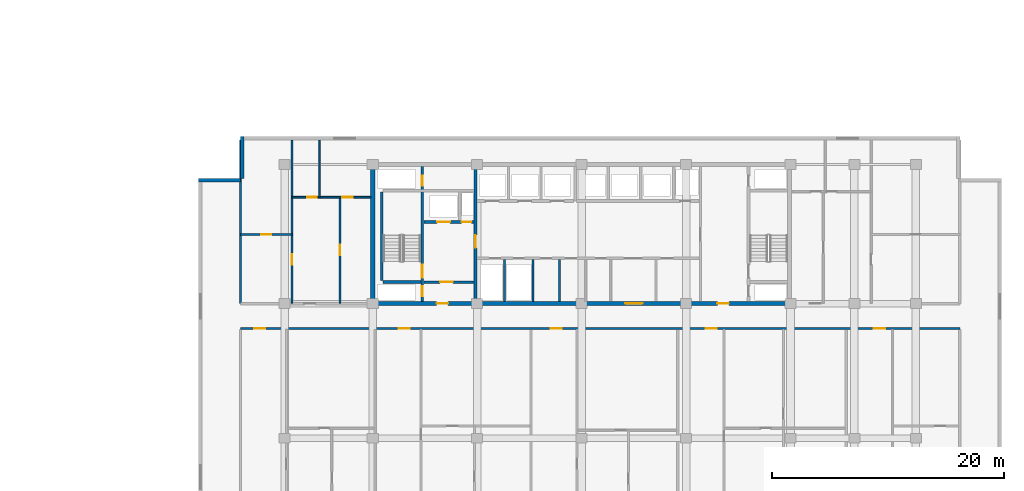
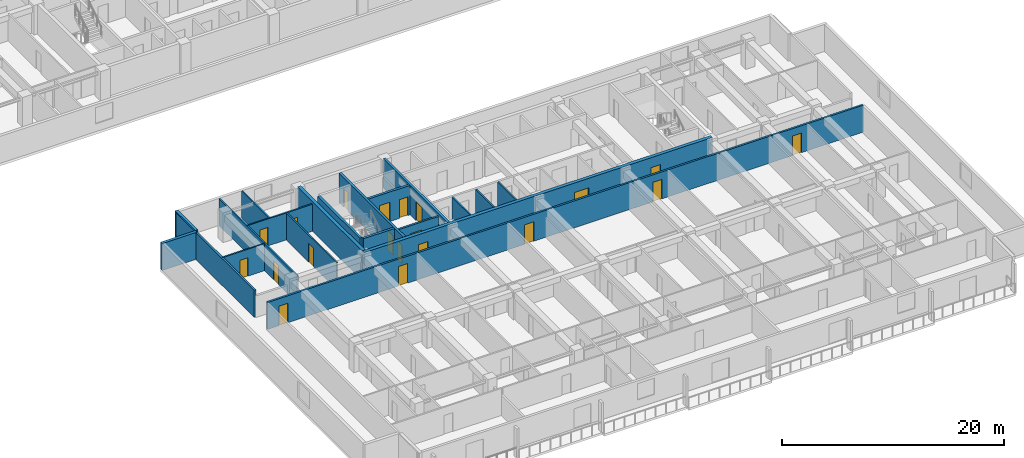
# One storey, part 6 of 24: 20 doors, 20 walls, 20 openings.
"""IFC4 building model written with IfcOpenShell, lengths in metres."""

from ifc_helpers import new_model, si_unit, direction, frame, frame_2d, origin, place, context, subcontext, project, spatial, rectangle, extrude, material, layer, layer_set, type_object, element, fill, save


model = new_model("IFC4")

# Units and contexts
model_context = context("Model", 3, precision=1e-05, world=origin(), true_north=direction((0.0, 1.0)))
body_context = subcontext(model_context, "Body", "Model", "MODEL_VIEW")
ifc_project = project(units=[si_unit("LENGTHUNIT", "METRE"), si_unit("AREAUNIT", "SQUARE_METRE"), si_unit("VOLUMEUNIT", "CUBIC_METRE"), si_unit("PLANEANGLEUNIT", "RADIAN"), si_unit("MASSUNIT", "GRAM", prefix="KILO")], contexts=[model_context])

# Site, building, storey
site_placement = place(None, origin())
site = spatial("IfcSite", under=ifc_project, at=site_placement, CompositionType="ELEMENT")
building_placement = place(site_placement, origin())
building = spatial("IfcBuilding", under=site, at=building_placement, Name="Korimba Cascade Residences", CompositionType="ELEMENT")
storey_placement = place(building_placement, frame((0.0, 0.0, 66.25)))
storey = spatial("IfcBuildingStorey", under=building, at=storey_placement, Name="L18", CompositionType="ELEMENT", Elevation=66.25)

# Walls
ifc_material_1 = material(Name="Precast concrete C40/50", Category="concrete")
ifc_layer_1 = layer(ifc_material_1, 0.300048828125)
ifc_layer_set_1 = layer_set([ifc_layer_1], Name="Precast concrete C40/50")
wall_type_1 = type_object("IfcWallType", Name="EW-STONE-300", PredefinedType="STANDARD", material=ifc_layer_set_1)
wall_1_placement = place(storey_placement, frame((70.85009765625, 32.800048828125, 0.0), z_axis=(0.0, 0.0, 1.0), x_axis=(0.0, -1.0, 0.0)))
element("IfcWall", 1, at=wall_1_placement, inside=storey, type_object=wall_type_1, Name="L18 T2 Perimeter Stone Wall E07", PredefinedType="STANDARD", context=body_context, shape_type="SweptSolid", body=[
    extrude(rectangle(XDim=3.60009765625, YDim=0.300048828125, at=frame_2d((1.800048828125, 0.0))), origin(), (0.0, 0.0, 1.0), 2.969970703125),
])
wall_2_placement = place(storey_placement, frame((70.699951171875, 29.050048828125, 0.0), z_axis=(0.0, 0.0, 1.0), x_axis=(-1.0, 0.0, 0.0)))
element("IfcWall", 2, at=wall_2_placement, inside=storey, type_object=wall_type_1, Name="L18 T2 Perimeter Stone Wall E08", PredefinedType="STANDARD", context=body_context, shape_type="SweptSolid", body=[
    extrude(rectangle(XDim=3.599853515625, YDim=0.300048828125, at=frame_2d((1.7998046875, 0.0))), origin(), (0.0, 0.0, 1.0), 2.969970703125),
])
ifc_material_2 = material(Name="Concrete C65/80", Category="concrete")
ifc_layer_2 = layer(ifc_material_2, 0.35009765625)
ifc_layer_set_2 = layer_set([ifc_layer_2], Name="Concrete C65/80")
wall_type_2 = type_object("IfcWallType", Name="WAL-CORE-350", PredefinedType="SHEAR", material=ifc_layer_set_2)
wall_3_placement = place(storey_placement, frame((82.10009765625, 18.574951171875, 0.0), z_axis=(0.0, 0.0, 1.0), x_axis=(0.0, 1.0, 0.0)))
element("IfcWall", 3, at=wall_3_placement, inside=storey, type_object=wall_type_2, Name="L18 Core Shear Wall CW-L18-T2-W", PredefinedType="SHEAR", context=body_context, shape_type="SweptSolid", body=[
    extrude(rectangle(XDim=11.650146484375, YDim=0.35009765625, at=frame_2d((5.8251953125, 0.0))), origin(), (0.0, 0.0, 1.0), 3.25),
])

# Wall, openings, doors
wall_4_placement = place(storey_placement, frame((81.925048828125, 18.39990234375, 0.0), z_axis=(0.0, 0.0, 1.0), x_axis=(1.0, 0.0, 0.0)))
wall_4 = element("IfcWall", 4, at=wall_4_placement, inside=storey, type_object=wall_type_2, Name="L18 Core Shear Wall CW-L18-T2-S", PredefinedType="SHEAR", context=body_context, shape_type="SweptSolid", body=[
    extrude(rectangle(XDim=36.264892578125, YDim=0.35009765625, at=frame_2d((18.13232421875, 0.0))), origin(), (0.0, 0.0, 1.0), 3.25),
])
opening_1_placement = place(wall_4_placement, frame((5.675048828125, 0.0, 0.0)))
opening_1 = element("IfcOpeningElement", 5, at=opening_1_placement, cuts=wall_4, Name="Opening D-FD5", PredefinedType="OPENING", context=body_context, shape_type="SweptSolid", body=[
    extrude(rectangle(XDim=1.0, YDim=2.14990234375, at=frame_2d((0.5, 1.074951171875))), frame((0.0, 0.18505859375, 0.0), z_axis=(0.0, -1.0, 0.0), x_axis=(1.0, 0.0, 0.0)), (0.0, 0.0, 1.0), 0.3701171875),
])
opening_2_placement = place(wall_4_placement, frame((21.925048828125, 0.0, 0.0)))
opening_2 = element("IfcOpeningElement", 6, at=opening_2_placement, cuts=wall_4, Name="Opening D-FD8", PredefinedType="OPENING", context=body_context, shape_type="SweptSolid", body=[
    extrude(rectangle(XDim=1.5, YDim=2.199951171875, at=frame_2d((0.75, 1.10009765625))), frame((0.0, 0.18505859375, 0.0), z_axis=(0.0, -1.0, 0.0), x_axis=(1.0, 0.0, 0.0)), (0.0, 0.0, 1.0), 0.3701171875),
])
opening_3_placement = place(wall_4_placement, frame((29.875, 0.0, 0.0)))
opening_3 = element("IfcOpeningElement", 7, at=opening_3_placement, cuts=wall_4, Name="Opening D-FD5", PredefinedType="OPENING", context=body_context, shape_type="SweptSolid", body=[
    extrude(rectangle(XDim=1.0, YDim=2.14990234375, at=frame_2d((0.5, 1.074951171875))), frame((0.0, 0.18505859375, 0.0), z_axis=(0.0, -1.0, 0.0), x_axis=(1.0, 0.0, 0.0)), (0.0, 0.0, 1.0), 0.3701171875),
])
ifc_material_3 = material(Name="Fire-Rated Acoustic Timber Vestibule Door", Category="wood")
door_type_1 = type_object("IfcDoorType", Name="DR-FD90-1000", OperationType="NOTDEFINED", PredefinedType="DOOR", material=ifc_material_3)
door_1_placement = place(opening_1_placement, origin())
door_1 = element("IfcDoor", 8, at=door_1_placement, inside=storey, type_object=door_type_1, Name="L18 T2 West Core Vestibule Fire Door", OperationType="SINGLE_SWING_RIGHT", OverallHeight=2.14990234375, OverallWidth=1.0, PredefinedType="DOOR", context=body_context, shape_type="SweptSolid", body=[
    extrude(rectangle(XDim=1.0, YDim=2.14990234375, at=frame_2d((0.5, 1.074951171875))), frame((0.0, 0.02490234375, 0.0), z_axis=(0.0, -1.0, 0.0), x_axis=(1.0, 0.0, 0.0)), (0.0, 0.0, 1.0), 0.050048828125),
])
fill(opening_1, door_1)
door_2_placement = place(opening_3_placement, origin())
door_2 = element("IfcDoor", 9, at=door_2_placement, inside=storey, type_object=door_type_1, Name="L18 T2 East Stair Vestibule Fire Door", OperationType="SINGLE_SWING_LEFT", OverallHeight=2.14990234375, OverallWidth=1.0, PredefinedType="DOOR", context=body_context, shape_type="SweptSolid", body=[
    extrude(rectangle(XDim=1.0, YDim=2.14990234375, at=frame_2d((0.5, 1.074951171875))), frame((0.0, 0.02490234375, 0.0), z_axis=(0.0, -1.0, 0.0), x_axis=(1.0, 0.0, 0.0)), (0.0, 0.0, 1.0), 0.050048828125),
])
fill(opening_3, door_2)
ifc_material_4 = material(Name="Fire-Rated Glazed Lift Lobby Double Door", Category="glass")
door_type_2 = type_object("IfcDoorType", Name="DR-FD90-1500", OperationType="NOTDEFINED", PredefinedType="DOOR", material=ifc_material_4)
door_3_placement = place(opening_2_placement, origin())
door_3 = element("IfcDoor", 10, at=door_3_placement, inside=storey, type_object=door_type_2, Name="L18 T2 Lift Lobby Fire Door", OperationType="DOUBLE_DOOR_SINGLE_SWING", OverallHeight=2.199951171875, OverallWidth=1.5, PredefinedType="DOOR", context=body_context, shape_type="SweptSolid", body=[
    extrude(rectangle(XDim=1.5, YDim=2.199951171875, at=frame_2d((0.75, 1.10009765625))), frame((0.0, 0.02490234375, 0.0), z_axis=(0.0, -1.0, 0.0), x_axis=(1.0, 0.0, 0.0)), (0.0, 0.0, 1.0), 0.050048828125),
])
fill(opening_2, door_3)

# Wall
ifc_layer_3 = layer(ifc_material_1, 0.199951171875)
ifc_layer_set_3 = layer_set([ifc_layer_3], Name="Precast concrete C40/50")
wall_type_3 = type_object("IfcWallType", Name="WAL-IT-200", PredefinedType="PARTITIONING", material=ifc_layer_set_3)
wall_5_placement = place(storey_placement, frame((70.699951171875, 18.39990234375, 0.0), z_axis=(0.0, 0.0, 1.0), x_axis=(0.0, 1.0, 0.0)))
element("IfcWall", 11, at=wall_5_placement, inside=storey, type_object=wall_type_3, Name="L18 Partition Wall WAL-L18-T2-FW-WL", PredefinedType="PARTITIONING", context=body_context, shape_type="SweptSolid", body=[
    extrude(rectangle(XDim=14.10009765625, YDim=0.199951171875, at=frame_2d((7.050048828125, 0.0))), origin(), (0.0, 0.0, 1.0), 2.969970703125),
])

# Wall, openings, doors
wall_6_placement = place(storey_placement, frame((70.699951171875, 16.25, 0.0), z_axis=(0.0, 0.0, 1.0), x_axis=(1.0, 0.0, 0.0)))
wall_6 = element("IfcWall", 12, at=wall_6_placement, inside=storey, type_object=wall_type_3, Name="L18 Partition Wall WAL-L18-T2-CORS", PredefinedType="PARTITIONING", context=body_context, shape_type="SweptSolid", body=[
    extrude(rectangle(XDim=62.0, YDim=0.199951171875, at=frame_2d((31.0, 0.0))), origin(), (0.0, 0.0, 1.0), 2.969970703125),
])
opening_4_placement = place(wall_6_placement, frame((1.18603515625, 0.0, 0.0)))
opening_4 = element("IfcOpeningElement", 13, at=opening_4_placement, cuts=wall_6, Name="Opening D-UN1", PredefinedType="OPENING", context=body_context, shape_type="SweptSolid", body=[
    extrude(rectangle(XDim=0.949951171875, YDim=2.14990234375, at=frame_2d((0.47509765625, 1.074951171875))), frame((0.0, 0.10986328125, 0.0), z_axis=(0.0, -1.0, 0.0), x_axis=(1.0, 0.0, 0.0)), (0.0, 0.0, 1.0), 0.219970703125),
])
opening_5_placement = place(wall_6_placement, frame((13.634765625, 0.0, 0.0)))
opening_5 = element("IfcOpeningElement", 14, at=opening_5_placement, cuts=wall_6, Name="Opening D-UN1", PredefinedType="OPENING", context=body_context, shape_type="SweptSolid", body=[
    extrude(rectangle(XDim=0.949951171875, YDim=2.14990234375, at=frame_2d((0.47509765625, 1.074951171875))), frame((0.0, 0.10986328125, 0.0), z_axis=(0.0, -1.0, 0.0), x_axis=(1.0, 0.0, 0.0)), (0.0, 0.0, 1.0), 0.219970703125),
])
opening_6_placement = place(wall_6_placement, frame((26.750244140625, 0.0, 0.0)))
opening_6 = element("IfcOpeningElement", 15, at=opening_6_placement, cuts=wall_6, Name="Opening D-UN1", PredefinedType="OPENING", context=body_context, shape_type="SweptSolid", body=[
    extrude(rectangle(XDim=0.949951171875, YDim=2.14990234375, at=frame_2d((0.47509765625, 1.074951171875))), frame((0.0, 0.10986328125, 0.0), z_axis=(0.0, -1.0, 0.0), x_axis=(1.0, 0.0, 0.0)), (0.0, 0.0, 1.0), 0.219970703125),
])
opening_7_placement = place(wall_6_placement, frame((40.080810546875, 0.0, 0.0)))
opening_7 = element("IfcOpeningElement", 16, at=opening_7_placement, cuts=wall_6, Name="Opening D-UN1", PredefinedType="OPENING", context=body_context, shape_type="SweptSolid", body=[
    extrude(rectangle(XDim=0.949951171875, YDim=2.14990234375, at=frame_2d((0.47509765625, 1.074951171875))), frame((0.0, 0.10986328125, 0.0), z_axis=(0.0, -1.0, 0.0), x_axis=(1.0, 0.0, 0.0)), (0.0, 0.0, 1.0), 0.219970703125),
])
opening_8_placement = place(wall_6_placement, frame((54.596435546875, 0.0, 0.0)))
opening_8 = element("IfcOpeningElement", 17, at=opening_8_placement, cuts=wall_6, Name="Opening D-UN1", PredefinedType="OPENING", context=body_context, shape_type="SweptSolid", body=[
    extrude(rectangle(XDim=0.949951171875, YDim=2.14990234375, at=frame_2d((0.47509765625, 1.074951171875))), frame((0.0, 0.10986328125, 0.0), z_axis=(0.0, -1.0, 0.0), x_axis=(1.0, 0.0, 0.0)), (0.0, 0.0, 1.0), 0.219970703125),
])
ifc_material_5 = material(Name="Fire-Rated Hardwood Apartment Entrance Door", Category="wood")
door_type_3 = type_object("IfcDoorType", Name="DR-FD60-950", OperationType="NOTDEFINED", PredefinedType="DOOR", material=ifc_material_5)
door_4_placement = place(opening_4_placement, origin())
door_4 = element("IfcDoor", 18, at=door_4_placement, inside=storey, type_object=door_type_3, Name="Unit L18-T2-U01 Entrance Door", OperationType="SINGLE_SWING_RIGHT", OverallHeight=2.14990234375, OverallWidth=0.949951171875, PredefinedType="DOOR", context=body_context, shape_type="SweptSolid", body=[
    extrude(rectangle(XDim=0.949951171875, YDim=2.14990234375, at=frame_2d((0.47509765625, 1.074951171875))), frame((0.0, 0.02490234375, 0.0), z_axis=(0.0, -1.0, 0.0), x_axis=(1.0, 0.0, 0.0)), (0.0, 0.0, 1.0), 0.050048828125),
])
fill(opening_4, door_4)
door_5_placement = place(opening_5_placement, origin())
door_5 = element("IfcDoor", 19, at=door_5_placement, inside=storey, type_object=door_type_3, Name="Unit L18-T2-U02 Entrance Door", OperationType="SINGLE_SWING_LEFT", OverallHeight=2.14990234375, OverallWidth=0.949951171875, PredefinedType="DOOR", context=body_context, shape_type="SweptSolid", body=[
    extrude(rectangle(XDim=0.949951171875, YDim=2.14990234375, at=frame_2d((0.47509765625, 1.074951171875))), frame((0.0, 0.02490234375, 0.0), z_axis=(0.0, -1.0, 0.0), x_axis=(1.0, 0.0, 0.0)), (0.0, 0.0, 1.0), 0.050048828125),
])
fill(opening_5, door_5)
door_6_placement = place(opening_6_placement, origin())
door_6 = element("IfcDoor", 20, at=door_6_placement, inside=storey, type_object=door_type_3, Name="Unit L18-T2-U03 Entrance Door", OperationType="SINGLE_SWING_RIGHT", OverallHeight=2.14990234375, OverallWidth=0.949951171875, PredefinedType="DOOR", context=body_context, shape_type="SweptSolid", body=[
    extrude(rectangle(XDim=0.949951171875, YDim=2.14990234375, at=frame_2d((0.47509765625, 1.074951171875))), frame((0.0, 0.02490234375, 0.0), z_axis=(0.0, -1.0, 0.0), x_axis=(1.0, 0.0, 0.0)), (0.0, 0.0, 1.0), 0.050048828125),
])
fill(opening_6, door_6)
door_7_placement = place(opening_7_placement, origin())
door_7 = element("IfcDoor", 21, at=door_7_placement, inside=storey, type_object=door_type_3, Name="Unit L18-T2-U04 Entrance Door", OperationType="SINGLE_SWING_LEFT", OverallHeight=2.14990234375, OverallWidth=0.949951171875, PredefinedType="DOOR", context=body_context, shape_type="SweptSolid", body=[
    extrude(rectangle(XDim=0.949951171875, YDim=2.14990234375, at=frame_2d((0.47509765625, 1.074951171875))), frame((0.0, 0.02490234375, 0.0), z_axis=(0.0, -1.0, 0.0), x_axis=(1.0, 0.0, 0.0)), (0.0, 0.0, 1.0), 0.050048828125),
])
fill(opening_7, door_7)
door_8_placement = place(opening_8_placement, origin())
door_8 = element("IfcDoor", 22, at=door_8_placement, inside=storey, type_object=door_type_3, Name="Unit L18-T2-U05 Entrance Door", OperationType="SINGLE_SWING_RIGHT", OverallHeight=2.14990234375, OverallWidth=0.949951171875, PredefinedType="DOOR", context=body_context, shape_type="SweptSolid", body=[
    extrude(rectangle(XDim=0.949951171875, YDim=2.14990234375, at=frame_2d((0.47509765625, 1.074951171875))), frame((0.0, 0.02490234375, 0.0), z_axis=(0.0, -1.0, 0.0), x_axis=(1.0, 0.0, 0.0)), (0.0, 0.0, 1.0), 0.050048828125),
])
fill(opening_8, door_8)

# Walls
ifc_material_6 = material(Name="Insulated Acoustic Stud Partition", Category="gypsum")
ifc_layer_4 = layer(ifc_material_6, 0.14990234375)
ifc_layer_set_4 = layer_set([ifc_layer_4], Name="Insulated Acoustic Stud Partition")
wall_type_4 = type_object("IfcWallType", Name="WAL-PART-150", PredefinedType="PARTITIONING", material=ifc_layer_set_4)
for number, where, z_axis, x_axis, name in (
    (23, (93.449951171875, 18.60009765625, 0.0), (0.0, 0.0, 1.0), (0.0, 1.0, 0.0), "L18 Partition Wall CW-L18-T2-ERDIV"),
    (24, (95.89990234375, 18.60009765625, 0.0), (0.0, 0.0, 1.0), (0.0, 1.0, 0.0), "L18 Partition Wall CW-L18-T2-PRDIV"),
    (25, (98.199951171875, 18.60009765625, 0.0), (0.0, 0.0, 1.0), (0.0, 1.0, 0.0), "L18 Partition Wall CW-L18-T2-CA1W1"),
):
    element("IfcWall", number, at=place(storey_placement, frame(where, z_axis=z_axis, x_axis=x_axis)), inside=storey, type_object=wall_type_4, Name=name, PredefinedType="PARTITIONING", context=body_context, shape_type="SweptSolid", body=[
        extrude(rectangle(XDim=3.599853515625, YDim=0.14990234375, at=frame_2d((1.7998046875, 0.0))), origin(), (0.0, 0.0, 1.0), 2.969970703125),
    ])

# Wall, opening, door
wall_7_placement = place(storey_placement, frame((70.699951171875, 24.35009765625, 0.0), z_axis=(0.0, 0.0, 1.0), x_axis=(1.0, 0.0, 0.0)))
wall_7 = element("IfcWall", 26, at=wall_7_placement, inside=storey, type_object=wall_type_4, Name="L18 Partition Wall WAL-L18-T2-FW-STH", PredefinedType="PARTITIONING", context=body_context, shape_type="SweptSolid", body=[
    extrude(rectangle(XDim=4.449951171875, YDim=0.14990234375, at=frame_2d((2.22509765625, 0.0))), origin(), (0.0, 0.0, 1.0), 2.969970703125),
])
opening_9_placement = place(wall_7_placement, frame((1.804931640625, 0.0, 0.0)))
opening_9 = element("IfcOpeningElement", 27, at=opening_9_placement, cuts=wall_7, Name="Opening D-BT1", PredefinedType="OPENING", context=body_context, shape_type="SweptSolid", body=[
    extrude(rectangle(XDim=0.840087890625, YDim=2.0400390625, at=frame_2d((0.419921875, 1.02001953125))), frame((0.0, 0.0849609375, 0.0), z_axis=(0.0, -1.0, 0.0), x_axis=(1.0, 0.0, 0.0)), (0.0, 0.0, 1.0), 0.169921875),
])
ifc_material_7 = material(Name="Moisture-Resistant Bathroom Timber Door", Category="wood")
door_type_4 = type_object("IfcDoorType", Name="DR-INT-850", OperationType="NOTDEFINED", PredefinedType="DOOR", material=ifc_material_7)
door_9_placement = place(opening_9_placement, origin())
door_9 = element("IfcDoor", 28, at=door_9_placement, inside=storey, type_object=door_type_4, Name="L18-T2-FW Dressing Store Door", OperationType="SINGLE_SWING_LEFT", OverallHeight=2.0400390625, OverallWidth=0.840087890625, PredefinedType="DOOR", context=body_context, shape_type="SweptSolid", body=[
    extrude(rectangle(XDim=0.840087890625, YDim=2.0400390625, at=frame_2d((0.419921875, 1.02001953125))), frame((0.0, 0.02490234375, 0.0), z_axis=(0.0, -1.0, 0.0), x_axis=(1.0, 0.0, 0.0)), (0.0, 0.0, 1.0), 0.050048828125),
])
fill(opening_9, door_9)

wall_8_placement = place(storey_placement, frame((75.14990234375, 18.449951171875, 0.0), z_axis=(0.0, 0.0, 1.0), x_axis=(0.0, 1.0, 0.0)))
wall_8 = element("IfcWall", 29, at=wall_8_placement, inside=storey, type_object=wall_type_4, Name="L18 Partition Wall WAL-L18-T2-FW-STV", PredefinedType="PARTITIONING", context=body_context, shape_type="SweptSolid", body=[
    extrude(rectangle(XDim=14.050048828125, YDim=0.14990234375, at=frame_2d((7.02490234375, 0.0))), origin(), (0.0, 0.0, 1.0), 2.969970703125),
])
opening_10_placement = place(wall_8_placement, frame((3.320068359375, 0.0, 0.0)))
opening_10 = element("IfcOpeningElement", 30, at=opening_10_placement, cuts=wall_8, Name="Opening D-IN2", PredefinedType="OPENING", context=body_context, shape_type="SweptSolid", body=[
    extrude(rectangle(XDim=0.8798828125, YDim=2.06005859375, at=frame_2d((0.43994140625, 1.030029296875))), frame((0.0, 0.0849609375, 0.0), z_axis=(0.0, -1.0, 0.0), x_axis=(1.0, 0.0, 0.0)), (0.0, 0.0, 1.0), 0.169921875),
])
ifc_material_8 = material(Name="Acoustic Timber Bedroom Door", Category="wood")
door_type_5 = type_object("IfcDoorType", Name="DR-INT-880", OperationType="NOTDEFINED", PredefinedType="DOOR", material=ifc_material_8)
door_10_placement = place(opening_10_placement, origin())
door_10 = element("IfcDoor", 31, at=door_10_placement, inside=storey, type_object=door_type_5, Name="L18-T2-FW Study Door", OperationType="SINGLE_SWING_RIGHT", OverallHeight=2.06005859375, OverallWidth=0.8798828125, PredefinedType="DOOR", context=body_context, shape_type="SweptSolid", body=[
    extrude(rectangle(XDim=0.8798828125, YDim=2.06005859375, at=frame_2d((0.43994140625, 1.030029296875))), frame((0.0, 0.02490234375, 0.0), z_axis=(0.0, -1.0, 0.0), x_axis=(1.0, 0.0, 0.0)), (0.0, 0.0, 1.0), 0.050048828125),
])
fill(opening_10, door_10)

wall_9_placement = place(storey_placement, frame((79.27001953125, 18.449951171875, 0.0), z_axis=(0.0, 0.0, 1.0), x_axis=(0.0, 1.0, 0.0)))
wall_9 = element("IfcWall", 32, at=wall_9_placement, inside=storey, type_object=wall_type_4, Name="L18 Partition Wall WAL-L18-T2-FW-VS", PredefinedType="PARTITIONING", context=body_context, shape_type="SweptSolid", body=[
    extrude(rectangle(XDim=9.1201171875, YDim=0.14990234375, at=frame_2d((4.56005859375, 0.0))), origin(), (0.0, 0.0, 1.0), 2.969970703125),
])
opening_11_placement = place(wall_9_placement, frame((4.10009765625, 0.0, 0.0)))
opening_11 = element("IfcOpeningElement", 33, at=opening_11_placement, cuts=wall_9, Name="Opening D-IN1", PredefinedType="OPENING", context=body_context, shape_type="SweptSolid", body=[
    extrude(rectangle(XDim=0.919921875, YDim=2.080078125, at=frame_2d((0.4599609375, 1.0400390625))), frame((0.0, 0.0849609375, 0.0), z_axis=(0.0, -1.0, 0.0), x_axis=(1.0, 0.0, 0.0)), (0.0, 0.0, 1.0), 0.169921875),
])
ifc_material_9 = material(Name="Acoustic Timber Living Door", Category="wood")
door_type_6 = type_object("IfcDoorType", Name="DR-INT-920", OperationType="NOTDEFINED", PredefinedType="DOOR", material=ifc_material_9)
door_11_placement = place(opening_11_placement, origin())
door_11 = element("IfcDoor", 34, at=door_11_placement, inside=storey, type_object=door_type_6, Name="L18-T2-FW Living Door", OperationType="SINGLE_SWING_LEFT", OverallHeight=2.080078125, OverallWidth=0.919921875, PredefinedType="DOOR", context=body_context, shape_type="SweptSolid", body=[
    extrude(rectangle(XDim=0.919921875, YDim=2.080078125, at=frame_2d((0.4599609375, 1.0400390625))), frame((0.0, 0.02490234375, 0.0), z_axis=(0.0, -1.0, 0.0), x_axis=(1.0, 0.0, 0.0)), (0.0, 0.0, 1.0), 0.050048828125),
])
fill(opening_11, door_11)

# Wall
wall_10_placement = place(storey_placement, frame((77.5, 27.570068359375, 0.0), z_axis=(0.0, 0.0, 1.0), x_axis=(0.0, 1.0, 0.0)))
element("IfcWall", 35, at=wall_10_placement, inside=storey, type_object=wall_type_4, Name="L18 Partition Wall WAL-L18-T2-FW-VN", PredefinedType="PARTITIONING", context=body_context, shape_type="SweptSolid", body=[
    extrude(rectangle(XDim=4.929931640625, YDim=0.14990234375, at=frame_2d((2.46484375, 0.0))), origin(), (0.0, 0.0, 1.0), 2.969970703125),
])

# Wall, openings, doors
wall_11_placement = place(storey_placement, frame((75.169921875, 27.570068359375, 0.0), z_axis=(0.0, 0.0, 1.0), x_axis=(1.0, 0.0, 0.0)))
wall_11 = element("IfcWall", 36, at=wall_11_placement, inside=storey, type_object=wall_type_4, Name="L18 Partition Wall WAL-L18-T2-FW-H", PredefinedType="PARTITIONING", context=body_context, shape_type="SweptSolid", body=[
    extrude(rectangle(XDim=6.760009765625, YDim=0.14990234375, at=frame_2d((3.3798828125, 0.0))), origin(), (0.0, 0.0, 1.0), 2.969970703125),
])
opening_12_placement = place(wall_11_placement, frame((1.266357421875, 0.0, 0.0)))
opening_12 = element("IfcOpeningElement", 37, at=opening_12_placement, cuts=wall_11, Name="Opening D-BT1", PredefinedType="OPENING", context=body_context, shape_type="SweptSolid", body=[
    extrude(rectangle(XDim=0.840087890625, YDim=2.0400390625, at=frame_2d((0.419921875, 1.02001953125))), frame((0.0, 0.0849609375, 0.0), z_axis=(0.0, -1.0, 0.0), x_axis=(1.0, 0.0, 0.0)), (0.0, 0.0, 1.0), 0.169921875),
])
opening_13_placement = place(wall_11_placement, frame((4.320068359375, 0.0, 0.0)))
opening_13 = element("IfcOpeningElement", 38, at=opening_13_placement, cuts=wall_11, Name="Opening D-IN2", PredefinedType="OPENING", context=body_context, shape_type="SweptSolid", body=[
    extrude(rectangle(XDim=0.8798828125, YDim=2.06005859375, at=frame_2d((0.43994140625, 1.030029296875))), frame((0.0, 0.0849609375, 0.0), z_axis=(0.0, -1.0, 0.0), x_axis=(1.0, 0.0, 0.0)), (0.0, 0.0, 1.0), 0.169921875),
])
door_12_placement = place(opening_12_placement, origin())
door_12 = element("IfcDoor", 39, at=door_12_placement, inside=storey, type_object=door_type_4, Name="L18-T2-FW Bathroom Door", OperationType="SINGLE_SWING_RIGHT", OverallHeight=2.0400390625, OverallWidth=0.840087890625, PredefinedType="DOOR", context=body_context, shape_type="SweptSolid", body=[
    extrude(rectangle(XDim=0.840087890625, YDim=2.0400390625, at=frame_2d((0.419921875, 1.02001953125))), frame((0.0, 0.02490234375, 0.0), z_axis=(0.0, -1.0, 0.0), x_axis=(1.0, 0.0, 0.0)), (0.0, 0.0, 1.0), 0.050048828125),
])
fill(opening_12, door_12)
door_13_placement = place(opening_13_placement, origin())
door_13 = element("IfcDoor", 40, at=door_13_placement, inside=storey, type_object=door_type_5, Name="L18-T2-FW Bedroom Door", OperationType="SINGLE_SWING_LEFT", OverallHeight=2.06005859375, OverallWidth=0.8798828125, PredefinedType="DOOR", context=body_context, shape_type="SweptSolid", body=[
    extrude(rectangle(XDim=0.8798828125, YDim=2.06005859375, at=frame_2d((0.43994140625, 1.030029296875))), frame((0.0, 0.02490234375, 0.0), z_axis=(0.0, -1.0, 0.0), x_axis=(1.0, 0.0, 0.0)), (0.0, 0.0, 1.0), 0.050048828125),
])
fill(opening_13, door_13)

# Wall, opening, door
ifc_material_10 = material(Name="Concrete C40/50", Category="concrete")
ifc_layer_5 = layer(ifc_material_10, 0.199951171875)
ifc_layer_set_5 = layer_set([ifc_layer_5], Name="Concrete C40/50")
wall_type_5 = type_object("IfcWallType", Name="WAL-PART-200", PredefinedType="PARTITIONING", material=ifc_layer_set_5)
wall_12_placement = place(storey_placement, frame((86.5, 20.25, 0.0), z_axis=(0.0, 0.0, 1.0), x_axis=(1.0, 0.0, 0.0)))
wall_12 = element("IfcWall", 41, at=wall_12_placement, inside=storey, type_object=wall_type_5, Name="L18 Partition Wall CW-L18-T2-FFLS", PredefinedType="PARTITIONING", context=body_context, shape_type="SweptSolid", body=[
    extrude(rectangle(XDim=4.320068359375, YDim=0.199951171875, at=frame_2d((2.16015625, 0.0))), origin(), (0.0, 0.0, 1.0), 2.969970703125),
])
opening_14_placement = place(wall_12_placement, frame((1.39990234375, 0.0, 0.0)))
opening_14 = element("IfcOpeningElement", 42, at=opening_14_placement, cuts=wall_12, Name="Opening D-FD1", PredefinedType="OPENING", context=body_context, shape_type="SweptSolid", body=[
    extrude(rectangle(XDim=1.10009765625, YDim=2.10009765625, at=frame_2d((0.550048828125, 1.050048828125))), frame((0.0, 0.10986328125, 0.0), z_axis=(0.0, -1.0, 0.0), x_axis=(1.0, 0.0, 0.0)), (0.0, 0.0, 1.0), 0.219970703125),
])
ifc_material_11 = material(Name="Fire-Rated Steel Core Door", Category="steel")
door_type_7 = type_object("IfcDoorType", Name="DR-FD120-1100", OperationType="NOTDEFINED", PredefinedType="DOOR", material=ifc_material_11)
door_14_placement = place(opening_14_placement, origin())
door_14 = element("IfcDoor", 43, at=door_14_placement, inside=storey, type_object=door_type_7, Name="L18 T2 Firefighting Lobby Door", OperationType="SINGLE_SWING_RIGHT", OverallHeight=2.10009765625, OverallWidth=1.10009765625, PredefinedType="DOOR", context=body_context, shape_type="SweptSolid", body=[
    extrude(rectangle(XDim=1.10009765625, YDim=2.10009765625, at=frame_2d((0.550048828125, 1.050048828125))), frame((0.0, 0.02490234375, 0.0), z_axis=(0.0, -1.0, 0.0), x_axis=(1.0, 0.0, 0.0)), (0.0, 0.0, 1.0), 0.050048828125),
])
fill(opening_14, door_14)

# Wall
ifc_material_12 = material(Name="Concrete C50/60", Category="concrete")
ifc_layer_6 = layer(ifc_material_12, 0.25)
ifc_layer_set_6 = layer_set([ifc_layer_6], Name="Concrete C50/60")
wall_type_6 = type_object("IfcWallType", Name="WAL-SHAFT-250", PredefinedType="SHEAR", material=ifc_layer_set_6)
wall_13_placement = place(storey_placement, frame((82.875, 20.39990234375, 0.0), z_axis=(0.0, 0.0, 1.0), x_axis=(0.0, 1.0, 0.0)))
element("IfcWall", 44, at=wall_13_placement, inside=storey, type_object=wall_type_6, Name="L18 Core Shear Wall CW-L18-T2-STE1W", PredefinedType="SHEAR", context=body_context, shape_type="SweptSolid", body=[
    extrude(rectangle(XDim=7.60009765625, YDim=0.25, at=frame_2d((3.800048828125, 0.0))), origin(), (0.0, 0.0, 1.0), 3.25),
])

# Wall, openings, doors
wall_14_placement = place(storey_placement, frame((86.364990234375, 18.60009765625, 0.0), z_axis=(0.0, 0.0, 1.0), x_axis=(0.0, 1.0, 0.0)))
wall_14 = element("IfcWall", 45, at=wall_14_placement, inside=storey, type_object=wall_type_6, Name="L18 Core Shear Wall CW-L18-T2-STE1E", PredefinedType="SHEAR", context=body_context, shape_type="SweptSolid", body=[
    extrude(rectangle(XDim=11.599853515625, YDim=0.25, at=frame_2d((5.7998046875, 0.0))), origin(), (0.0, 0.0, 1.0), 3.25),
])
opening_15_placement = place(wall_14_placement, frame((0.449951171875, 0.0, 0.0)))
opening_15 = element("IfcOpeningElement", 46, at=opening_15_placement, cuts=wall_14, Name="Opening D-RS1", PredefinedType="OPENING", context=body_context, shape_type="SweptSolid", body=[
    extrude(rectangle(XDim=0.85009765625, YDim=2.050048828125, at=frame_2d((0.425048828125, 1.02490234375))), frame((0.0, 0.135009765625, 0.0), z_axis=(0.0, -1.0, 0.0), x_axis=(1.0, 0.0, 0.0)), (0.0, 0.0, 1.0), 0.27001953125),
])
opening_16_placement = place(wall_14_placement, frame((2.050048828125, 0.0, 0.0)))
opening_16 = element("IfcOpeningElement", 47, at=opening_16_placement, cuts=wall_14, Name="Opening D-FD1", PredefinedType="OPENING", context=body_context, shape_type="SweptSolid", body=[
    extrude(rectangle(XDim=1.10009765625, YDim=2.10009765625, at=frame_2d((0.550048828125, 1.050048828125))), frame((0.0, 0.135009765625, 0.0), z_axis=(0.0, -1.0, 0.0), x_axis=(1.0, 0.0, 0.0)), (0.0, 0.0, 1.0), 0.27001953125),
])
opening_17_placement = place(wall_14_placement, frame((9.949951171875, 0.0, 0.0)))
opening_17 = element("IfcOpeningElement", 48, at=opening_17_placement, cuts=wall_14, Name="Opening D-RS1", PredefinedType="OPENING", context=body_context, shape_type="SweptSolid", body=[
    extrude(rectangle(XDim=0.85009765625, YDim=2.050048828125, at=frame_2d((0.425048828125, 1.02490234375))), frame((0.0, 0.135009765625, 0.0), z_axis=(0.0, -1.0, 0.0), x_axis=(1.0, 0.0, 0.0)), (0.0, 0.0, 1.0), 0.27001953125),
])
door_15_placement = place(opening_16_placement, origin())
door_15 = element("IfcDoor", 49, at=door_15_placement, inside=storey, type_object=door_type_7, Name="L18 Fire Stair ST-E1 Door", OperationType="SINGLE_SWING_LEFT", OverallHeight=2.10009765625, OverallWidth=1.10009765625, PredefinedType="DOOR", context=body_context, shape_type="SweptSolid", body=[
    extrude(rectangle(XDim=1.10009765625, YDim=2.10009765625, at=frame_2d((0.550048828125, 1.050048828125))), frame((0.0, 0.02490234375, 0.0), z_axis=(0.0, -1.0, 0.0), x_axis=(1.0, 0.0, 0.0)), (0.0, 0.0, 1.0), 0.050048828125),
])
fill(opening_16, door_15)
ifc_material_13 = material(Name="Fire-Rated Steel Riser Access Door", Category="steel")
door_type_8 = type_object("IfcDoorType", Name="DR-FD60-850", OperationType="NOTDEFINED", PredefinedType="DOOR", material=ifc_material_13)
door_16_placement = place(opening_15_placement, origin())
door_16 = element("IfcDoor", 50, at=door_16_placement, inside=storey, type_object=door_type_8, Name="L18 T2 Hydrant Riser Door", OperationType="SINGLE_SWING_RIGHT", OverallHeight=2.050048828125, OverallWidth=0.85009765625, PredefinedType="DOOR", context=body_context, shape_type="SweptSolid", body=[
    extrude(rectangle(XDim=0.85009765625, YDim=2.050048828125, at=frame_2d((0.425048828125, 1.02490234375))), frame((0.0, 0.02490234375, 0.0), z_axis=(0.0, -1.0, 0.0), x_axis=(1.0, 0.0, 0.0)), (0.0, 0.0, 1.0), 0.050048828125),
])
fill(opening_15, door_16)
door_17_placement = place(opening_17_placement, origin())
door_17 = element("IfcDoor", 51, at=door_17_placement, inside=storey, type_object=door_type_8, Name="L18 T2 Smoke Shaft Door", OperationType="SINGLE_SWING_RIGHT", OverallHeight=2.050048828125, OverallWidth=0.85009765625, PredefinedType="DOOR", context=body_context, shape_type="SweptSolid", body=[
    extrude(rectangle(XDim=0.85009765625, YDim=2.050048828125, at=frame_2d((0.425048828125, 1.02490234375))), frame((0.0, 0.02490234375, 0.0), z_axis=(0.0, -1.0, 0.0), x_axis=(1.0, 0.0, 0.0)), (0.0, 0.0, 1.0), 0.050048828125),
])
fill(opening_17, door_17)

# Wall
wall_15_placement = place(storey_placement, frame((83.0, 20.27490234375, 0.0), z_axis=(0.0, 0.0, 1.0), x_axis=(1.0, 0.0, 0.0)))
element("IfcWall", 52, at=wall_15_placement, inside=storey, type_object=wall_type_6, Name="L18 Core Shear Wall CW-L18-T2-STE1S", PredefinedType="SHEAR", context=body_context, shape_type="SweptSolid", body=[
    extrude(rectangle(XDim=3.239990234375, YDim=0.25, at=frame_2d((1.6201171875, 0.0))), origin(), (0.0, 0.0, 1.0), 3.25),
])

# Wall, openings, doors
wall_16_placement = place(storey_placement, frame((86.5, 25.449951171875, 0.0), z_axis=(0.0, 0.0, 1.0), x_axis=(1.0, 0.0, 0.0)))
wall_16 = element("IfcWall", 53, at=wall_16_placement, inside=storey, type_object=wall_type_6, Name="L18 Core Shear Wall CW-L18-T2-FFLN", PredefinedType="SHEAR", context=body_context, shape_type="SweptSolid", body=[
    extrude(rectangle(XDim=4.320068359375, YDim=0.25, at=frame_2d((2.16015625, 0.0))), origin(), (0.0, 0.0, 1.0), 3.25),
])
opening_18_placement = place(wall_16_placement, frame((1.139892578125, 0.0, 0.0)))
opening_18 = element("IfcOpeningElement", 54, at=opening_18_placement, cuts=wall_16, Name="Opening LD-01", PredefinedType="OPENING", context=body_context, shape_type="SweptSolid", body=[
    extrude(rectangle(XDim=1.1201171875, YDim=2.1201171875, at=frame_2d((0.56005859375, 1.06005859375))), frame((0.0, 0.135009765625, 0.0), z_axis=(0.0, -1.0, 0.0), x_axis=(1.0, 0.0, 0.0)), (0.0, 0.0, 1.0), 0.27001953125),
])
opening_19_placement = place(wall_16_placement, frame((3.25, 0.0, 0.0)))
opening_19 = element("IfcOpeningElement", 55, at=opening_19_placement, cuts=wall_16, Name="Opening D-RS1", PredefinedType="OPENING", context=body_context, shape_type="SweptSolid", body=[
    extrude(rectangle(XDim=0.85009765625, YDim=2.050048828125, at=frame_2d((0.425048828125, 1.02490234375))), frame((0.0, 0.135009765625, 0.0), z_axis=(0.0, -1.0, 0.0), x_axis=(1.0, 0.0, 0.0)), (0.0, 0.0, 1.0), 0.27001953125),
])
door_18_placement = place(opening_19_placement, origin())
door_18 = element("IfcDoor", 56, at=door_18_placement, inside=storey, type_object=door_type_8, Name="L18 T2 Pressurisation Riser Door", OperationType="SINGLE_SWING_LEFT", OverallHeight=2.050048828125, OverallWidth=0.85009765625, PredefinedType="DOOR", context=body_context, shape_type="SweptSolid", body=[
    extrude(rectangle(XDim=0.85009765625, YDim=2.050048828125, at=frame_2d((0.425048828125, 1.02490234375))), frame((0.0, 0.02490234375, 0.0), z_axis=(0.0, -1.0, 0.0), x_axis=(1.0, 0.0, 0.0)), (0.0, 0.0, 1.0), 0.050048828125),
])
fill(opening_19, door_18)
ifc_material_14 = material(Name="Stainless Steel Lift Landing Sliding Door", Category="steel")
door_type_9 = type_object("IfcDoorType", Name="DR-LIFT-1100", OperationType="NOTDEFINED", PredefinedType="DOOR", material=ifc_material_14)
door_19_placement = place(opening_18_placement, origin())
door_19 = element("IfcDoor", 57, at=door_19_placement, inside=storey, type_object=door_type_9, Name="L18 Firefighting Lift Landing Door FFL-E1", OperationType="SLIDING_TO_RIGHT", OverallHeight=2.1201171875, OverallWidth=1.1201171875, PredefinedType="DOOR", context=body_context, shape_type="SweptSolid", body=[
    extrude(rectangle(XDim=1.1201171875, YDim=2.1201171875, at=frame_2d((0.56005859375, 1.06005859375))), frame((0.0, 0.02490234375, 0.0), z_axis=(0.0, -1.0, 0.0), x_axis=(1.0, 0.0, 0.0)), (0.0, 0.0, 1.0), 0.050048828125),
])
fill(opening_18, door_19)

# Wall, opening, door
wall_17_placement = place(storey_placement, frame((90.949951171875, 18.60009765625, 0.0), z_axis=(0.0, 0.0, 1.0), x_axis=(0.0, 1.0, 0.0)))
wall_17 = element("IfcWall", 58, at=wall_17_placement, inside=storey, type_object=wall_type_6, Name="L18 Core Shear Wall CW-L18-T2-FFLE", PredefinedType="SHEAR", context=body_context, shape_type="SweptSolid", body=[
    extrude(rectangle(XDim=11.599853515625, YDim=0.25, at=frame_2d((5.7998046875, 0.0))), origin(), (0.0, 0.0, 1.0), 3.25),
])
opening_20_placement = place(wall_17_placement, frame((4.60009765625, 0.0, 0.0)))
opening_20 = element("IfcOpeningElement", 59, at=opening_20_placement, cuts=wall_17, Name="Opening D-FD1", PredefinedType="OPENING", context=body_context, shape_type="SweptSolid", body=[
    extrude(rectangle(XDim=1.10009765625, YDim=2.10009765625, at=frame_2d((0.550048828125, 1.050048828125))), frame((0.0, 0.135009765625, 0.0), z_axis=(0.0, -1.0, 0.0), x_axis=(1.0, 0.0, 0.0)), (0.0, 0.0, 1.0), 0.27001953125),
])
door_20_placement = place(opening_20_placement, origin())
door_20 = element("IfcDoor", 60, at=door_20_placement, inside=storey, type_object=door_type_7, Name="L18 T2 Firefighting Lobby to Lift Lobby Door", OperationType="SINGLE_SWING_LEFT", OverallHeight=2.10009765625, OverallWidth=1.10009765625, PredefinedType="DOOR", context=body_context, shape_type="SweptSolid", body=[
    extrude(rectangle(XDim=1.10009765625, YDim=2.10009765625, at=frame_2d((0.550048828125, 1.050048828125))), frame((0.0, 0.02490234375, 0.0), z_axis=(0.0, -1.0, 0.0), x_axis=(1.0, 0.0, 0.0)), (0.0, 0.0, 1.0), 0.050048828125),
])
fill(opening_20, door_20)

save(model, "model.ifc")
